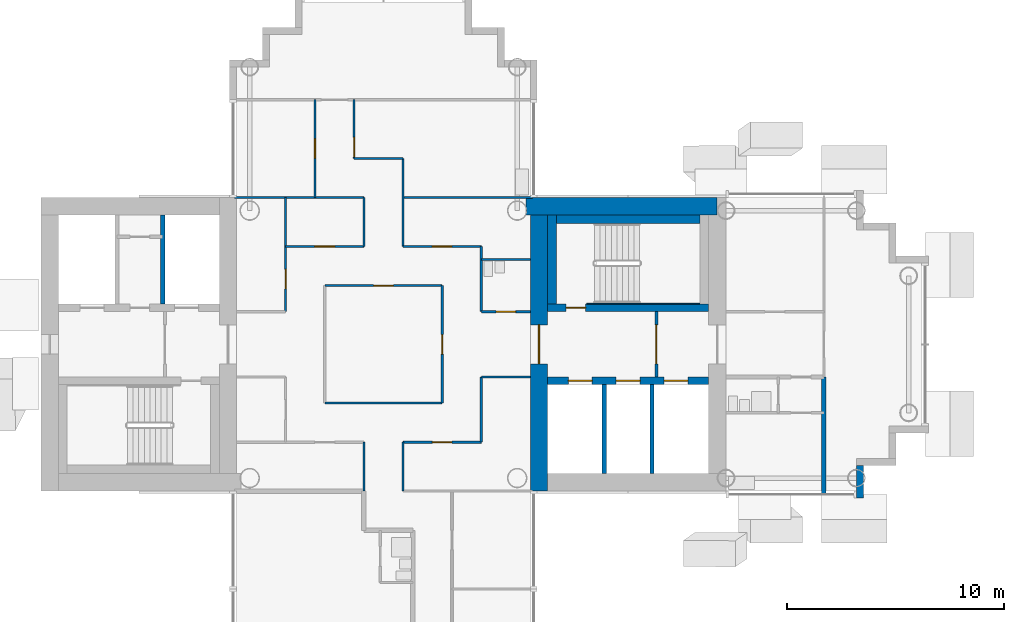
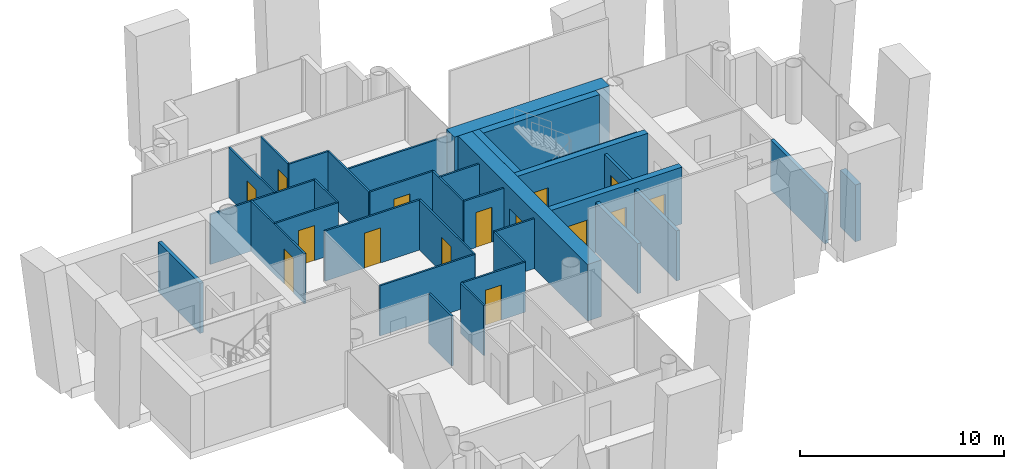
# One storey, part 7 of 18: 34 walls, 15 doors, 15 openings.
"""IFC4 building model written with IfcOpenShell, lengths in metres."""

from ifc_helpers import new_model, si_unit, direction, frame, frame_2d, origin, place, context, subcontext, project, spatial, rectangle, extrude, material, layer, layer_set, type_object, element, fill, save


model = new_model("IFC4")

# Units and contexts
model_context = context("Model", 3, precision=1e-05, world=origin(), true_north=direction((0.0, 1.0)))
body_context = subcontext(model_context, "Body", "Model", "MODEL_VIEW")
ifc_project = project(units=[si_unit("LENGTHUNIT", "METRE"), si_unit("AREAUNIT", "SQUARE_METRE"), si_unit("VOLUMEUNIT", "CUBIC_METRE"), si_unit("PLANEANGLEUNIT", "RADIAN"), si_unit("MASSUNIT", "GRAM", prefix="KILO")], contexts=[model_context])

# Site, building, storey
site_placement = place(None, origin())
site = spatial("IfcSite", under=ifc_project, at=site_placement, CompositionType="ELEMENT")
building_placement = place(site_placement, origin())
building = spatial("IfcBuilding", under=site, at=building_placement, Name="Ipe Terrace Towers", CompositionType="ELEMENT")
storey_placement = place(building_placement, frame((0.0, 0.0, 164.300048828125)))
storey = spatial("IfcBuildingStorey", under=building, at=storey_placement, Name="L45", CompositionType="ELEMENT", Elevation=164.300048828125)

# Wall
ifc_material_1 = material(Name="Concrete C40/50 with buff precast cladding", Category="concrete")
ifc_layer_1 = layer(ifc_material_1, 0.320068359375)
ifc_layer_set_1 = layer_set([ifc_layer_1], Name="BUFF CLADDING WALL 320")
wall_type_1 = type_object("IfcWallType", Name="BUFF CLADDING WALL 320", PredefinedType="STANDARD", material=ifc_layer_set_1)
wall_1_placement = place(storey_placement, frame((-14.090087890625, -7.070068359375, -0.300048828125), z_axis=(0.0, 0.0, 1.0), x_axis=(0.0, 1.0, 0.0)))
element("IfcWall", 1, at=wall_1_placement, inside=storey, type_object=wall_type_1, Name="T1-W-L45-17a wall", PredefinedType="STANDARD", context=body_context, shape_type="SweptSolid", body=[
    extrude(rectangle(XDim=1.5, YDim=0.320068359375, at=frame_2d((0.75, 0.0))), origin(), (0.0, 0.0, 1.0), 3.39990234375),
])

# Wall, opening, door
ifc_material_2 = material(Name="Gypsum board partition", Category="plasterboard")
ifc_layer_2 = layer(ifc_material_2, 0.10009765625)
ifc_layer_set_2 = layer_set([ifc_layer_2], Name="Gypsum board partition 100 mm")
wall_type_2 = type_object("IfcWallType", Name="Gypsum board partition 100 mm", PredefinedType="PARTITIONING", material=ifc_layer_set_2)
wall_2_placement = place(storey_placement, frame((-40.5, 1.5, 0.0), z_axis=(0.0, 0.0, 1.0), x_axis=(0.0, 1.0, 0.0)))
wall_2 = element("IfcWall", 2, at=wall_2_placement, inside=storey, type_object=wall_type_2, Name="Gypsum board partition T1 L45 W02", PredefinedType="PARTITIONING", context=body_context, shape_type="SweptSolid", body=[
    extrude(rectangle(XDim=5.25, YDim=0.10009765625, at=frame_2d((2.625, 0.0))), origin(), (0.0, 0.0, 1.0), 3.0),
])
opening_1_placement = place(wall_2_placement, frame((1.050048828125, 0.0, 0.0)))
opening_1 = element("IfcOpeningElement", 3, at=opening_1_placement, cuts=wall_2, Name="Opening T1-Z3F-06", PredefinedType="OPENING", context=body_context, shape_type="SweptSolid", body=[
    extrude(rectangle(XDim=0.89990234375, YDim=2.10009765625, at=frame_2d((0.449951171875, 1.050048828125))), frame((0.0, 0.06005859375, 0.0), z_axis=(0.0, -1.0, 0.0), x_axis=(1.0, 0.0, 0.0)), (0.0, 0.0, 1.0), 0.1201171875),
])
ifc_material_3 = material(Name="Timber door leaf", Category="wood")
door_type_1 = type_object("IfcDoorType", Name="Lounge door 900 x 2100", OperationType="NOTDEFINED", PredefinedType="DOOR", material=ifc_material_3)
door_1_placement = place(opening_1_placement, origin())
door_1 = element("IfcDoor", 4, at=door_1_placement, inside=storey, type_object=door_type_1, Name="Lounge door T1-Z3F-06", OperationType="SINGLE_SWING_RIGHT", OverallHeight=2.10009765625, OverallWidth=0.89990234375, PredefinedType="DOOR", context=body_context, shape_type="SweptSolid", body=[
    extrude(rectangle(XDim=0.89990234375, YDim=2.10009765625, at=frame_2d((0.449951171875, 1.050048828125))), frame((0.0, 0.02490234375, 0.0), z_axis=(0.0, -1.0, 0.0), x_axis=(1.0, 0.0, 0.0)), (0.0, 0.0, 1.0), 0.050048828125),
])
fill(opening_1, door_1)

wall_3_placement = place(storey_placement, frame((-39.14990234375, 6.75, 0.0), z_axis=(0.0, 0.0, 1.0), x_axis=(0.0, 1.0, 0.0)))
wall_3 = element("IfcWall", 5, at=wall_3_placement, inside=storey, type_object=wall_type_2, Name="Gypsum board partition T1 L45 W03", PredefinedType="PARTITIONING", context=body_context, shape_type="SweptSolid", body=[
    extrude(rectangle(XDim=4.5, YDim=0.10009765625, at=frame_2d((2.25, 0.0))), origin(), (0.0, 0.0, 1.0), 3.0),
])
opening_2_placement = place(wall_3_placement, frame((1.800048828125, 0.0, 0.0)))
opening_2 = element("IfcOpeningElement", 6, at=opening_2_placement, cuts=wall_3, Name="Opening T1-Z3F-10", PredefinedType="OPENING", context=body_context, shape_type="SweptSolid", body=[
    extrude(rectangle(XDim=0.89990234375, YDim=2.10009765625, at=frame_2d((0.449951171875, 1.050048828125))), frame((0.0, 0.06005859375, 0.0), z_axis=(0.0, -1.0, 0.0), x_axis=(1.0, 0.0, 0.0)), (0.0, 0.0, 1.0), 0.1201171875),
])
door_2_placement = place(opening_2_placement, origin())
door_2 = element("IfcDoor", 7, at=door_2_placement, inside=storey, type_object=door_type_1, Name="Lounge door T1-Z3F-10", OperationType="SINGLE_SWING_LEFT", OverallHeight=2.10009765625, OverallWidth=0.89990234375, PredefinedType="DOOR", context=body_context, shape_type="SweptSolid", body=[
    extrude(rectangle(XDim=0.89990234375, YDim=2.10009765625, at=frame_2d((0.449951171875, 1.050048828125))), frame((0.0, 0.02490234375, 0.0), z_axis=(0.0, -1.0, 0.0), x_axis=(1.0, 0.0, 0.0)), (0.0, 0.0, 1.0), 0.050048828125),
])
fill(opening_2, door_2)

wall_4_placement = place(storey_placement, frame((-37.35009765625, 8.550048828125, 0.0), z_axis=(0.0, 0.0, 1.0), x_axis=(0.0, 1.0, 0.0)))
wall_4 = element("IfcWall", 8, at=wall_4_placement, inside=storey, type_object=wall_type_2, Name="Gypsum board partition T1 L45 W05", PredefinedType="PARTITIONING", context=body_context, shape_type="SweptSolid", body=[
    extrude(rectangle(XDim=2.699951171875, YDim=0.10009765625, at=frame_2d((1.35009765625, 0.0))), origin(), (0.0, 0.0, 1.0), 3.0),
])
opening_3_placement = place(wall_4_placement, frame((0.070068359375, 0.0, 0.0)))
opening_3 = element("IfcOpeningElement", 9, at=opening_3_placement, cuts=wall_4, Name="Opening T1-Z3F-11", PredefinedType="OPENING", context=body_context, shape_type="SweptSolid", body=[
    extrude(rectangle(XDim=0.89990234375, YDim=2.10009765625, at=frame_2d((0.449951171875, 1.050048828125))), frame((0.0, 0.06005859375, 0.0), z_axis=(0.0, -1.0, 0.0), x_axis=(1.0, 0.0, 0.0)), (0.0, 0.0, 1.0), 0.1201171875),
])
door_3_placement = place(opening_3_placement, origin())
door_3 = element("IfcDoor", 10, at=door_3_placement, inside=storey, type_object=door_type_1, Name="Lounge door T1-Z3F-11", OperationType="SINGLE_SWING_LEFT", OverallHeight=2.10009765625, OverallWidth=0.89990234375, PredefinedType="DOOR", context=body_context, shape_type="SweptSolid", body=[
    extrude(rectangle(XDim=0.89990234375, YDim=2.10009765625, at=frame_2d((0.449951171875, 1.050048828125))), frame((0.0, 0.02490234375, 0.0), z_axis=(0.0, -1.0, 0.0), x_axis=(1.0, 0.0, 0.0)), (0.0, 0.0, 1.0), 0.050048828125),
])
fill(opening_3, door_3)

# Walls
for number, where, z_axis, x_axis, name in (
    (11, (-36.89990234375, -6.75, 0.0), (0.0, 0.0, 1.0), (0.0, 1.0, 0.0), "Gypsum board partition T1 L45 W06"),
    (12, (-36.89990234375, 4.5, 0.0), (0.0, 0.0, 1.0), (0.0, 1.0, 0.0), "Gypsum board partition T1 L45 W07"),
    (13, (-35.10009765625, -6.75, 0.0), (0.0, 0.0, 1.0), (0.0, 1.0, 0.0), "Gypsum board partition T1 L45 W10"),
):
    element("IfcWall", number, at=place(storey_placement, frame(where, z_axis=z_axis, x_axis=x_axis)), inside=storey, type_object=wall_type_2, Name=name, PredefinedType="PARTITIONING", context=body_context, shape_type="SweptSolid", body=[
        extrude(rectangle(XDim=2.25, YDim=0.10009765625, at=frame_2d((1.125, 0.0))), origin(), (0.0, 0.0, 1.0), 3.0),
    ])
wall_5_placement = place(storey_placement, frame((-35.10009765625, 4.5, 0.0), z_axis=(0.0, 0.0, 1.0), x_axis=(0.0, 1.0, 0.0)))
element("IfcWall", 14, at=wall_5_placement, inside=storey, type_object=wall_type_2, Name="Gypsum board partition T1 L45 W11", PredefinedType="PARTITIONING", context=body_context, shape_type="SweptSolid", body=[
    extrude(rectangle(XDim=4.050048828125, YDim=0.10009765625, at=frame_2d((2.02490234375, 0.0))), origin(), (0.0, 0.0, 1.0), 3.0),
])

# Wall, opening, door
wall_6_placement = place(storey_placement, frame((-33.300048828125, -2.699951171875, 0.0), z_axis=(0.0, 0.0, 1.0), x_axis=(0.0, 1.0, 0.0)))
wall_6 = element("IfcWall", 15, at=wall_6_placement, inside=storey, type_object=wall_type_2, Name="Gypsum board partition T1 L45 W13", PredefinedType="PARTITIONING", context=body_context, shape_type="SweptSolid", body=[
    extrude(rectangle(XDim=5.39990234375, YDim=0.10009765625, at=frame_2d((2.699951171875, 0.0))), origin(), (0.0, 0.0, 1.0), 3.0),
])
opening_4_placement = place(wall_6_placement, frame((2.25, 0.0, 0.0)))
opening_4 = element("IfcOpeningElement", 16, at=opening_4_placement, cuts=wall_6, Name="Opening T1-Z3F-02", PredefinedType="OPENING", context=body_context, shape_type="SweptSolid", body=[
    extrude(rectangle(XDim=0.89990234375, YDim=2.10009765625, at=frame_2d((0.449951171875, 1.050048828125))), frame((0.0, 0.06005859375, 0.0), z_axis=(0.0, -1.0, 0.0), x_axis=(1.0, 0.0, 0.0)), (0.0, 0.0, 1.0), 0.1201171875),
])
door_4_placement = place(opening_4_placement, origin())
door_4 = element("IfcDoor", 17, at=door_4_placement, inside=storey, type_object=door_type_1, Name="Lounge door T1-Z3F-02", OperationType="SINGLE_SWING_LEFT", OverallHeight=2.10009765625, OverallWidth=0.89990234375, PredefinedType="DOOR", context=body_context, shape_type="SweptSolid", body=[
    extrude(rectangle(XDim=0.89990234375, YDim=2.10009765625, at=frame_2d((0.449951171875, 1.050048828125))), frame((0.0, 0.02490234375, 0.0), z_axis=(0.0, -1.0, 0.0), x_axis=(1.0, 0.0, 0.0)), (0.0, 0.0, 1.0), 0.050048828125),
])
fill(opening_4, door_4)

# Walls
for number, where, z_axis, x_axis, name in (
    (18, (-31.5, -4.5, 0.0), (0.0, 0.0, 1.0), (0.0, 1.0, 0.0), "Gypsum board partition T1 L45 W15"),
    (19, (-31.5, 1.5, 0.0), (0.0, 0.0, 1.0), (0.0, 1.0, 0.0), "Gypsum board partition T1 L45 W16"),
):
    element("IfcWall", number, at=place(storey_placement, frame(where, z_axis=z_axis, x_axis=x_axis)), inside=storey, type_object=wall_type_2, Name=name, PredefinedType="PARTITIONING", context=body_context, shape_type="SweptSolid", body=[
        extrude(rectangle(XDim=3.0, YDim=0.10009765625, at=frame_2d((1.5, 0.0))), origin(), (0.0, 0.0, 1.0), 3.0),
    ])

# Wall, opening, door
wall_7_placement = place(storey_placement, frame((-35.10009765625, -4.5, 0.0), z_axis=(0.0, 0.0, 1.0), x_axis=(1.0, 0.0, 0.0)))
wall_7 = element("IfcWall", 20, at=wall_7_placement, inside=storey, type_object=wall_type_2, Name="Gypsum board partition T1 L45 W28", PredefinedType="PARTITIONING", context=body_context, shape_type="SweptSolid", body=[
    extrude(rectangle(XDim=3.60009765625, YDim=0.10009765625, at=frame_2d((1.800048828125, 0.0))), origin(), (0.0, 0.0, 1.0), 3.0),
])
opening_5_placement = place(wall_7_placement, frame((1.35009765625, 0.0, 0.0)))
opening_5 = element("IfcOpeningElement", 21, at=opening_5_placement, cuts=wall_7, Name="Opening T1-Z3F-09", PredefinedType="OPENING", context=body_context, shape_type="SweptSolid", body=[
    extrude(rectangle(XDim=0.89990234375, YDim=2.10009765625, at=frame_2d((0.449951171875, 1.050048828125))), frame((0.0, 0.06005859375, 0.0), z_axis=(0.0, -1.0, 0.0), x_axis=(1.0, 0.0, 0.0)), (0.0, 0.0, 1.0), 0.1201171875),
])
door_5_placement = place(opening_5_placement, origin())
door_5 = element("IfcDoor", 22, at=door_5_placement, inside=storey, type_object=door_type_1, Name="Lounge door T1-Z3F-09", OperationType="SINGLE_SWING_LEFT", OverallHeight=2.10009765625, OverallWidth=0.89990234375, PredefinedType="DOOR", context=body_context, shape_type="SweptSolid", body=[
    extrude(rectangle(XDim=0.89990234375, YDim=2.10009765625, at=frame_2d((0.449951171875, 1.050048828125))), frame((0.0, 0.02490234375, 0.0), z_axis=(0.0, -1.0, 0.0), x_axis=(1.0, 0.0, 0.0)), (0.0, 0.0, 1.0), 0.050048828125),
])
fill(opening_5, door_5)

# Walls
wall_8_placement = place(storey_placement, frame((-38.699951171875, -2.699951171875, 0.0), z_axis=(0.0, 0.0, 1.0), x_axis=(1.0, 0.0, 0.0)))
element("IfcWall", 23, at=wall_8_placement, inside=storey, type_object=wall_type_2, Name="Gypsum board partition T1 L45 W30", PredefinedType="PARTITIONING", context=body_context, shape_type="SweptSolid", body=[
    extrude(rectangle(XDim=5.39990234375, YDim=0.10009765625, at=frame_2d((2.699951171875, 0.0))), origin(), (0.0, 0.0, 1.0), 3.0),
])
wall_9_placement = place(storey_placement, frame((-31.5, -1.5, 0.0), z_axis=(0.0, 0.0, 1.0), x_axis=(1.0, 0.0, 0.0)))
element("IfcWall", 24, at=wall_9_placement, inside=storey, type_object=wall_type_2, Name="Gypsum board partition T1 L45 W32", PredefinedType="PARTITIONING", context=body_context, shape_type="SweptSolid", body=[
    extrude(rectangle(XDim=2.25, YDim=0.10009765625, at=frame_2d((1.125, 0.0))), origin(), (0.0, 0.0, 1.0), 3.0),
])

# Wall, opening, door
wall_10_placement = place(storey_placement, frame((-31.5, 1.5, 0.0), z_axis=(0.0, 0.0, 1.0), x_axis=(1.0, 0.0, 0.0)))
wall_10 = element("IfcWall", 25, at=wall_10_placement, inside=storey, type_object=wall_type_2, Name="Gypsum board partition T1 L45 W35", PredefinedType="PARTITIONING", context=body_context, shape_type="SweptSolid", body=[
    extrude(rectangle(XDim=2.25, YDim=0.10009765625, at=frame_2d((1.125, 0.0))), origin(), (0.0, 0.0, 1.0), 3.0),
])
opening_6_placement = place(wall_10_placement, frame((0.675048828125, 0.0, 0.0)))
opening_6 = element("IfcOpeningElement", 26, at=opening_6_placement, cuts=wall_10, Name="Opening T1-Z3F-03", PredefinedType="OPENING", context=body_context, shape_type="SweptSolid", body=[
    extrude(rectangle(XDim=0.89990234375, YDim=2.10009765625, at=frame_2d((0.449951171875, 1.050048828125))), frame((0.0, 0.06005859375, 0.0), z_axis=(0.0, -1.0, 0.0), x_axis=(1.0, 0.0, 0.0)), (0.0, 0.0, 1.0), 0.1201171875),
])
ifc_material_4 = material(Name="Timber door leaf", Category="wood")
door_type_2 = type_object("IfcDoorType", Name="Bathroom door 900 x 2100", OperationType="NOTDEFINED", PredefinedType="DOOR", material=ifc_material_4)
door_6_placement = place(opening_6_placement, origin())
door_6 = element("IfcDoor", 27, at=door_6_placement, inside=storey, type_object=door_type_2, Name="Bathroom door T1-Z3F-03", OperationType="SINGLE_SWING_LEFT", OverallHeight=2.10009765625, OverallWidth=0.89990234375, PredefinedType="DOOR", context=body_context, shape_type="SweptSolid", body=[
    extrude(rectangle(XDim=0.89990234375, YDim=2.10009765625, at=frame_2d((0.449951171875, 1.050048828125))), frame((0.0, 0.02490234375, 0.0), z_axis=(0.0, -1.0, 0.0), x_axis=(1.0, 0.0, 0.0)), (0.0, 0.0, 1.0), 0.050048828125),
])
fill(opening_6, door_6)

wall_11_placement = place(storey_placement, frame((-38.699951171875, 2.699951171875, 0.0), z_axis=(0.0, 0.0, 1.0), x_axis=(1.0, 0.0, 0.0)))
wall_11 = element("IfcWall", 28, at=wall_11_placement, inside=storey, type_object=wall_type_2, Name="Gypsum board partition T1 L45 W37", PredefinedType="PARTITIONING", context=body_context, shape_type="SweptSolid", body=[
    extrude(rectangle(XDim=5.39990234375, YDim=0.10009765625, at=frame_2d((2.699951171875, 0.0))), origin(), (0.0, 0.0, 1.0), 3.0),
])
opening_7_placement = place(wall_11_placement, frame((2.25, 0.0, 0.0)))
opening_7 = element("IfcOpeningElement", 29, at=opening_7_placement, cuts=wall_11, Name="Opening T1-Z3F-01", PredefinedType="OPENING", context=body_context, shape_type="SweptSolid", body=[
    extrude(rectangle(XDim=0.89990234375, YDim=2.10009765625, at=frame_2d((0.449951171875, 1.050048828125))), frame((0.0, 0.06005859375, 0.0), z_axis=(0.0, -1.0, 0.0), x_axis=(1.0, 0.0, 0.0)), (0.0, 0.0, 1.0), 0.1201171875),
])
door_7_placement = place(opening_7_placement, origin())
door_7 = element("IfcDoor", 30, at=door_7_placement, inside=storey, type_object=door_type_1, Name="Lounge door T1-Z3F-01", OperationType="SINGLE_SWING_RIGHT", OverallHeight=2.10009765625, OverallWidth=0.89990234375, PredefinedType="DOOR", context=body_context, shape_type="SweptSolid", body=[
    extrude(rectangle(XDim=0.89990234375, YDim=2.10009765625, at=frame_2d((0.449951171875, 1.050048828125))), frame((0.0, 0.02490234375, 0.0), z_axis=(0.0, -1.0, 0.0), x_axis=(1.0, 0.0, 0.0)), (0.0, 0.0, 1.0), 0.050048828125),
])
fill(opening_7, door_7)

# Wall
wall_12_placement = place(storey_placement, frame((-31.5, 3.89990234375, 0.0), z_axis=(0.0, 0.0, 1.0), x_axis=(1.0, 0.0, 0.0)))
element("IfcWall", 31, at=wall_12_placement, inside=storey, type_object=wall_type_2, Name="Gypsum board partition T1 L45 W38", PredefinedType="PARTITIONING", context=body_context, shape_type="SweptSolid", body=[
    extrude(rectangle(XDim=2.25, YDim=0.10009765625, at=frame_2d((1.125, 0.0))), origin(), (0.0, 0.0, 1.0), 3.0),
])

# Wall, opening, door
wall_13_placement = place(storey_placement, frame((-40.5, 4.5, 0.0), z_axis=(0.0, 0.0, 1.0), x_axis=(1.0, 0.0, 0.0)))
wall_13 = element("IfcWall", 32, at=wall_13_placement, inside=storey, type_object=wall_type_2, Name="Gypsum board partition T1 L45 W39", PredefinedType="PARTITIONING", context=body_context, shape_type="SweptSolid", body=[
    extrude(rectangle(XDim=3.60009765625, YDim=0.10009765625, at=frame_2d((1.800048828125, 0.0))), origin(), (0.0, 0.0, 1.0), 3.0),
])
opening_8_placement = place(wall_13_placement, frame((1.35009765625, 0.0, 0.0)))
opening_8 = element("IfcOpeningElement", 33, at=opening_8_placement, cuts=wall_13, Name="Opening T1-Z3F-05", PredefinedType="OPENING", context=body_context, shape_type="SweptSolid", body=[
    extrude(rectangle(XDim=0.89990234375, YDim=2.10009765625, at=frame_2d((0.449951171875, 1.050048828125))), frame((0.0, 0.06005859375, 0.0), z_axis=(0.0, -1.0, 0.0), x_axis=(1.0, 0.0, 0.0)), (0.0, 0.0, 1.0), 0.1201171875),
])
door_8_placement = place(opening_8_placement, origin())
door_8 = element("IfcDoor", 34, at=door_8_placement, inside=storey, type_object=door_type_1, Name="Lounge door T1-Z3F-05", OperationType="SINGLE_SWING_RIGHT", OverallHeight=2.10009765625, OverallWidth=0.89990234375, PredefinedType="DOOR", context=body_context, shape_type="SweptSolid", body=[
    extrude(rectangle(XDim=0.89990234375, YDim=2.10009765625, at=frame_2d((0.449951171875, 1.050048828125))), frame((0.0, 0.02490234375, 0.0), z_axis=(0.0, -1.0, 0.0), x_axis=(1.0, 0.0, 0.0)), (0.0, 0.0, 1.0), 0.050048828125),
])
fill(opening_8, door_8)

wall_14_placement = place(storey_placement, frame((-35.10009765625, 4.5, 0.0), z_axis=(0.0, 0.0, 1.0), x_axis=(1.0, 0.0, 0.0)))
wall_14 = element("IfcWall", 35, at=wall_14_placement, inside=storey, type_object=wall_type_2, Name="Gypsum board partition T1 L45 W40", PredefinedType="PARTITIONING", context=body_context, shape_type="SweptSolid", body=[
    extrude(rectangle(XDim=3.60009765625, YDim=0.10009765625, at=frame_2d((1.800048828125, 0.0))), origin(), (0.0, 0.0, 1.0), 3.0),
])
opening_9_placement = place(wall_14_placement, frame((1.35009765625, 0.0, 0.0)))
opening_9 = element("IfcOpeningElement", 36, at=opening_9_placement, cuts=wall_14, Name="Opening T1-Z3F-04", PredefinedType="OPENING", context=body_context, shape_type="SweptSolid", body=[
    extrude(rectangle(XDim=0.89990234375, YDim=2.10009765625, at=frame_2d((0.449951171875, 1.050048828125))), frame((0.0, 0.06005859375, 0.0), z_axis=(0.0, -1.0, 0.0), x_axis=(1.0, 0.0, 0.0)), (0.0, 0.0, 1.0), 0.1201171875),
])
door_9_placement = place(opening_9_placement, origin())
door_9 = element("IfcDoor", 37, at=door_9_placement, inside=storey, type_object=door_type_1, Name="Lounge door T1-Z3F-04", OperationType="SINGLE_SWING_LEFT", OverallHeight=2.10009765625, OverallWidth=0.89990234375, PredefinedType="DOOR", context=body_context, shape_type="SweptSolid", body=[
    extrude(rectangle(XDim=0.89990234375, YDim=2.10009765625, at=frame_2d((0.449951171875, 1.050048828125))), frame((0.0, 0.02490234375, 0.0), z_axis=(0.0, -1.0, 0.0), x_axis=(1.0, 0.0, 0.0)), (0.0, 0.0, 1.0), 0.050048828125),
])
fill(opening_9, door_9)

# Walls
for number, where, z_axis, x_axis, name in (
    (38, (-42.85009765625, 6.75, 0.0), (0.0, 0.0, 1.0), (1.0, 0.0, 0.0), "Gypsum board partition T1 L45 W41"),
    (39, (-35.10009765625, 6.75, 0.0), (0.0, 0.0, 1.0), (1.0, 0.0, 0.0), "Gypsum board partition T1 L45 W42"),
):
    element("IfcWall", number, at=place(storey_placement, frame(where, z_axis=z_axis, x_axis=x_axis)), inside=storey, type_object=wall_type_2, Name=name, PredefinedType="PARTITIONING", context=body_context, shape_type="SweptSolid", body=[
        extrude(rectangle(XDim=5.9501953125, YDim=0.10009765625, at=frame_2d((2.97509765625, 0.0))), origin(), (0.0, 0.0, 1.0), 3.0),
    ])
wall_15_placement = place(storey_placement, frame((-37.35009765625, 8.550048828125, 0.0), z_axis=(0.0, 0.0, 1.0), x_axis=(1.0, 0.0, 0.0)))
element("IfcWall", 40, at=wall_15_placement, inside=storey, type_object=wall_type_2, Name="Gypsum board partition T1 L45 W43", PredefinedType="PARTITIONING", context=body_context, shape_type="SweptSolid", body=[
    extrude(rectangle(XDim=2.25, YDim=0.10009765625, at=frame_2d((1.125, 0.0))), origin(), (0.0, 0.0, 1.0), 3.0),
])

# Wall, opening, door
ifc_material_5 = material(Name="Gypsum board partition", Category="plasterboard")
ifc_layer_3 = layer(ifc_material_5, 0.14990234375)
ifc_layer_set_3 = layer_set([ifc_layer_3], Name="Gypsum board partition 150 mm")
wall_type_3 = type_object("IfcWallType", Name="Gypsum board partition 150 mm", PredefinedType="PARTITIONING", material=ifc_layer_set_3)
wall_16_placement = place(storey_placement, frame((-23.449951171875, -1.5, 0.0), z_axis=(0.0, 0.0, 1.0), x_axis=(0.0, 1.0, 0.0)))
wall_16 = element("IfcWall", 41, at=wall_16_placement, inside=storey, type_object=wall_type_3, Name="Gypsum board partition T1 L45 t1c1-lobby-wall", PredefinedType="PARTITIONING", context=body_context, shape_type="SweptSolid", body=[
    extrude(rectangle(XDim=3.0, YDim=0.14990234375, at=frame_2d((1.5, 0.0))), origin(), (0.0, 0.0, 1.0), 3.0),
])
opening_10_placement = place(wall_16_placement, frame((0.60009765625, 0.0, 0.0)))
opening_10 = element("IfcOpeningElement", 42, at=opening_10_placement, cuts=wall_16, Name="Opening T1C1-VD", PredefinedType="OPENING", context=body_context, shape_type="SweptSolid", body=[
    extrude(rectangle(XDim=1.800048828125, YDim=2.10009765625, at=frame_2d((0.89990234375, 1.050048828125))), frame((0.0, 0.0849609375, 0.0), z_axis=(0.0, -1.0, 0.0), x_axis=(1.0, 0.0, 0.0)), (0.0, 0.0, 1.0), 0.169921875),
])
ifc_material_6 = material(Name="Fire-rated timber door leaf", Category="wood")
door_type_3 = type_object("IfcDoorType", Name="Lobby door 1800 x 2100 FD60", OperationType="NOTDEFINED", PredefinedType="DOOR", material=ifc_material_6)
door_10_placement = place(opening_10_placement, origin())
door_10 = element("IfcDoor", 43, at=door_10_placement, inside=storey, type_object=door_type_3, Name="Lobby door T1C1-VD", OperationType="SINGLE_SWING_LEFT", OverallHeight=2.10009765625, OverallWidth=1.800048828125, PredefinedType="DOOR", context=body_context, shape_type="SweptSolid", body=[
    extrude(rectangle(XDim=1.800048828125, YDim=2.10009765625, at=frame_2d((0.89990234375, 1.050048828125))), frame((0.0, 0.02490234375, 0.0), z_axis=(0.0, -1.0, 0.0), x_axis=(1.0, 0.0, 0.0)), (0.0, 0.0, 1.0), 0.050048828125),
])
fill(opening_10, door_10)

# Walls
ifc_material_7 = material(Name="Gypsum board party wall", Category="plasterboard")
ifc_layer_4 = layer(ifc_material_7, 0.199951171875)
ifc_layer_set_4 = layer_set([ifc_layer_4], Name="Gypsum board party wall 200 mm")
wall_type_4 = type_object("IfcWallType", Name="Gypsum board party wall 200 mm", PredefinedType="SOLIDWALL", material=ifc_layer_set_4)
for number, where, z_axis, x_axis, name in (
    (44, (-25.85009765625, -5.949951171875, 0.0), (0.0, 0.0, 1.0), (0.0, 1.0, 0.0), "Gypsum board party wall T1 L45 t1c1-shaft-div1"),
    (45, (-23.64990234375, -5.949951171875, 0.0), (0.0, 0.0, 1.0), (0.0, 1.0, 0.0), "Gypsum board party wall T1 L45 t1c1-shaft-div2"),
    (46, (-46.14990234375, 5.949951171875, 0.0), (0.0, 0.0, 1.0), (0.0, -1.0, 0.0), "Gypsum board party wall T1 L45 t1c2-shaft-div1"),
):
    element("IfcWall", number, at=place(storey_placement, frame(where, z_axis=z_axis, x_axis=x_axis)), inside=storey, type_object=wall_type_4, Name=name, PredefinedType="SOLIDWALL", context=body_context, shape_type="SweptSolid", body=[
        extrude(rectangle(XDim=4.099853515625, YDim=0.199951171875, at=frame_2d((2.0498046875, 0.0))), origin(), (0.0, 0.0, 1.0), 3.0),
    ])
wall_17_placement = place(storey_placement, frame((-15.75, -6.85009765625, 0.0), z_axis=(0.0, 0.0, 1.0), x_axis=(0.0, 1.0, 0.0)))
element("IfcWall", 47, at=wall_17_placement, inside=storey, type_object=wall_type_4, Name="Gypsum board party wall T1 L45 W19", PredefinedType="SOLIDWALL", context=body_context, shape_type="SweptSolid", body=[
    extrude(rectangle(XDim=5.35009765625, YDim=0.199951171875, at=frame_2d((2.675048828125, 0.0))), origin(), (0.0, 0.0, 1.0), 3.0),
])

# Wall, openings, doors
ifc_material_8 = material(Name="Concrete C50/60", Category="concrete")
ifc_layer_5 = layer(ifc_material_8, 0.35009765625)
ifc_layer_set_5 = layer_set([ifc_layer_5], Name="RW350 CORE SPINE WALL 350 C50-60")
wall_type_5 = type_object("IfcWallType", Name="RW350 CORE SPINE WALL 350 C50-60", PredefinedType="SHEAR", material=ifc_layer_set_5)
wall_18_placement = place(storey_placement, frame((-28.449951171875, -1.675048828125, 0.0), z_axis=(0.0, 0.0, 1.0), x_axis=(1.0, 0.0, 0.0)))
wall_18 = element("IfcWall", 48, at=wall_18_placement, inside=storey, type_object=wall_type_5, Name="Core spine wall T1-C1-Z3-SW1", PredefinedType="SHEAR", context=body_context, shape_type="SweptSolid", body=[
    extrude(rectangle(XDim=7.39990234375, YDim=0.35009765625, at=frame_2d((3.699951171875, 0.0))), origin(), (0.0, 0.0, 1.0), 3.39990234375),
])
opening_11_placement = place(wall_18_placement, frame((0.949951171875, 0.0, 0.0)))
opening_11 = element("IfcOpeningElement", 49, at=opening_11_placement, cuts=wall_18, Name="Opening T1C1-LD1", PredefinedType="OPENING", context=body_context, shape_type="SweptSolid", body=[
    extrude(rectangle(XDim=1.10009765625, YDim=2.10009765625, at=frame_2d((0.550048828125, 1.050048828125))), frame((0.0, 0.18505859375, 0.0), z_axis=(0.0, -1.0, 0.0), x_axis=(1.0, 0.0, 0.0)), (0.0, 0.0, 1.0), 0.3701171875),
])
opening_12_placement = place(wall_18_placement, frame((3.14990234375, 0.0, 0.0)))
opening_12 = element("IfcOpeningElement", 50, at=opening_12_placement, cuts=wall_18, Name="Opening T1C1-LD2", PredefinedType="OPENING", context=body_context, shape_type="SweptSolid", body=[
    extrude(rectangle(XDim=1.10009765625, YDim=2.10009765625, at=frame_2d((0.550048828125, 1.050048828125))), frame((0.0, 0.18505859375, 0.0), z_axis=(0.0, -1.0, 0.0), x_axis=(1.0, 0.0, 0.0)), (0.0, 0.0, 1.0), 0.3701171875),
])
opening_13_placement = place(wall_18_placement, frame((5.35009765625, 0.0, 0.0)))
opening_13 = element("IfcOpeningElement", 51, at=opening_13_placement, cuts=wall_18, Name="Opening T1C1-LD3", PredefinedType="OPENING", context=body_context, shape_type="SweptSolid", body=[
    extrude(rectangle(XDim=1.10009765625, YDim=2.10009765625, at=frame_2d((0.550048828125, 1.050048828125))), frame((0.0, 0.18505859375, 0.0), z_axis=(0.0, -1.0, 0.0), x_axis=(1.0, 0.0, 0.0)), (0.0, 0.0, 1.0), 0.3701171875),
])
ifc_material_9 = material(Name="Fire-rated timber door leaf", Category="wood")
door_type_4 = type_object("IfcDoorType", Name="Sliding door 1100 x 2100 FD60", OperationType="SLIDING_TO_LEFT", PredefinedType="DOOR", material=ifc_material_9)
door_11_placement = place(opening_11_placement, origin())
door_11 = element("IfcDoor", 52, at=door_11_placement, inside=storey, type_object=door_type_4, Name="Sliding door T1C1-LD1", OperationType="SLIDING_TO_LEFT", OverallHeight=2.10009765625, OverallWidth=1.10009765625, PredefinedType="DOOR", context=body_context, shape_type="SweptSolid", body=[
    extrude(rectangle(XDim=1.10009765625, YDim=2.10009765625, at=frame_2d((0.550048828125, 1.050048828125))), frame((0.0, 0.02490234375, 0.0), z_axis=(0.0, -1.0, 0.0), x_axis=(1.0, 0.0, 0.0)), (0.0, 0.0, 1.0), 0.050048828125),
])
fill(opening_11, door_11)
door_12_placement = place(opening_12_placement, origin())
door_12 = element("IfcDoor", 53, at=door_12_placement, inside=storey, type_object=door_type_4, Name="Sliding door T1C1-LD2", OperationType="SLIDING_TO_LEFT", OverallHeight=2.10009765625, OverallWidth=1.10009765625, PredefinedType="DOOR", context=body_context, shape_type="SweptSolid", body=[
    extrude(rectangle(XDim=1.10009765625, YDim=2.10009765625, at=frame_2d((0.550048828125, 1.050048828125))), frame((0.0, 0.02490234375, 0.0), z_axis=(0.0, -1.0, 0.0), x_axis=(1.0, 0.0, 0.0)), (0.0, 0.0, 1.0), 0.050048828125),
])
fill(opening_12, door_12)
door_13_placement = place(opening_13_placement, origin())
door_13 = element("IfcDoor", 54, at=door_13_placement, inside=storey, type_object=door_type_4, Name="Sliding door T1C1-LD3", OperationType="SLIDING_TO_LEFT", OverallHeight=2.10009765625, OverallWidth=1.10009765625, PredefinedType="DOOR", context=body_context, shape_type="SweptSolid", body=[
    extrude(rectangle(XDim=1.10009765625, YDim=2.10009765625, at=frame_2d((0.550048828125, 1.050048828125))), frame((0.0, 0.02490234375, 0.0), z_axis=(0.0, -1.0, 0.0), x_axis=(1.0, 0.0, 0.0)), (0.0, 0.0, 1.0), 0.050048828125),
])
fill(opening_13, door_13)

# Wall, opening, door
wall_19_placement = place(storey_placement, frame((-28.449951171875, 1.675048828125, 0.0), z_axis=(0.0, 0.0, 1.0), x_axis=(1.0, 0.0, 0.0)))
wall_19 = element("IfcWall", 55, at=wall_19_placement, inside=storey, type_object=wall_type_5, Name="Core spine wall T1-C1-Z3-SW2", PredefinedType="SHEAR", context=body_context, shape_type="SweptSolid", body=[
    extrude(rectangle(XDim=7.39990234375, YDim=0.35009765625, at=frame_2d((3.699951171875, 0.0))), origin(), (0.0, 0.0, 1.0), 3.39990234375),
])
opening_14_placement = place(wall_19_placement, frame((0.85009765625, 0.0, 0.0)))
opening_14 = element("IfcOpeningElement", 56, at=opening_14_placement, cuts=wall_19, Name="Opening T1C1-SD", PredefinedType="OPENING", context=body_context, shape_type="SweptSolid", body=[
    extrude(rectangle(XDim=0.89990234375, YDim=2.10009765625, at=frame_2d((0.449951171875, 1.050048828125))), frame((0.0, 0.18505859375, 0.0), z_axis=(0.0, -1.0, 0.0), x_axis=(1.0, 0.0, 0.0)), (0.0, 0.0, 1.0), 0.3701171875),
])
ifc_material_10 = material(Name="Fire-rated timber door leaf", Category="wood")
door_type_5 = type_object("IfcDoorType", Name="Stair door 900 x 2100 FD60", OperationType="NOTDEFINED", PredefinedType="DOOR", material=ifc_material_10)
door_14_placement = place(opening_14_placement, origin())
door_14 = element("IfcDoor", 57, at=door_14_placement, inside=storey, type_object=door_type_5, Name="Stair door T1C1-SD", OperationType="SINGLE_SWING_LEFT", OverallHeight=2.10009765625, OverallWidth=0.89990234375, PredefinedType="DOOR", context=body_context, shape_type="SweptSolid", body=[
    extrude(rectangle(XDim=0.89990234375, YDim=2.10009765625, at=frame_2d((0.449951171875, 1.050048828125))), frame((0.0, 0.02490234375, 0.0), z_axis=(0.0, -1.0, 0.0), x_axis=(1.0, 0.0, 0.0)), (0.0, 0.0, 1.0), 0.050048828125),
])
fill(opening_14, door_14)

# Walls
ifc_material_11 = material(Name="Concrete C50/60", Category="concrete")
ifc_layer_6 = layer(ifc_material_11, 0.39990234375)
ifc_layer_set_6 = layer_set([ifc_layer_6], Name="RW400 CORE INFILL WALL 400 C50-60")
wall_type_6 = type_object("IfcWallType", Name="RW400 CORE INFILL WALL 400 C50-60", PredefinedType="SHEAR", material=ifc_layer_set_6)
wall_20_placement = place(storey_placement, frame((-28.050048828125, 5.75, 0.0), z_axis=(0.0, 0.0, 1.0), x_axis=(1.0, 0.0, 0.0)))
element("IfcWall", 58, at=wall_20_placement, inside=storey, type_object=wall_type_6, Name="Core infill wall T1-C1-back", PredefinedType="SHEAR", context=body_context, shape_type="SweptSolid", body=[
    extrude(rectangle(XDim=6.60009765625, YDim=0.39990234375, at=frame_2d((3.300048828125, 0.0))), origin(), (0.0, 0.0, 1.0), 3.39990234375),
])
wall_21_placement = place(storey_placement, frame((-28.25, 1.85009765625, 0.0), z_axis=(0.0, 0.0, 1.0), x_axis=(0.0, 1.0, 0.0)))
element("IfcWall", 59, at=wall_21_placement, inside=storey, type_object=wall_type_6, Name="Core infill wall T1-C1-near", PredefinedType="SHEAR", context=body_context, shape_type="SweptSolid", body=[
    extrude(rectangle(XDim=4.099853515625, YDim=0.39990234375, at=frame_2d((2.0498046875, 0.0))), origin(), (0.0, 0.0, 1.0), 3.39990234375),
])
ifc_material_12 = material(Name="Concrete C50/60", Category="concrete")
ifc_layer_7 = layer(ifc_material_12, 0.050048828125)
ifc_layer_set_7 = layer_set([ifc_layer_7], Name="RW50 CORE INFILL WALL 50 C50-60")
wall_type_7 = type_object("IfcWallType", Name="RW50 CORE INFILL WALL 50 C50-60", PredefinedType="SHEAR", material=ifc_layer_set_7)
wall_22_placement = place(storey_placement, frame((-26.64990234375, 1.875, 0.0), z_axis=(0.0, 0.0, 1.0), x_axis=(1.0, 0.0, 0.0)))
element("IfcWall", 60, at=wall_22_placement, inside=storey, type_object=wall_type_7, Name="Core infill wall T1-C1-spine-b", PredefinedType="SHEAR", context=body_context, shape_type="SweptSolid", body=[
    extrude(rectangle(XDim=5.199951171875, YDim=0.050048828125, at=frame_2d((2.60009765625, 0.0))), origin(), (0.0, 0.0, 1.0), 3.39990234375),
])
ifc_material_13 = material(Name="Concrete C50/60", Category="concrete")
ifc_layer_8 = layer(ifc_material_13, 0.800048828125)
ifc_layer_set_8 = layer_set([ifc_layer_8], Name="RW800 CORE WALL 800 C50-60")
wall_type_8 = type_object("IfcWallType", Name="RW800 CORE WALL 800 C50-60", PredefinedType="SHEAR", material=ifc_layer_set_8)
wall_23_placement = place(storey_placement, frame((-20.652099609375, 6.35009765625, 0.0), z_axis=(0.0, 0.0, 1.0), x_axis=(-1.0, 0.0, 0.0)))
element("IfcWall", 61, at=wall_23_placement, inside=storey, type_object=wall_type_8, Name="Core wall T1-C1-Z3-W03", PredefinedType="SHEAR", context=body_context, shape_type="SweptSolid", body=[
    extrude(rectangle(XDim=8.7958984375, YDim=0.800048828125, at=frame_2d((4.39794921875, 0.0))), origin(), (0.0, 0.0, 1.0), 3.39990234375),
])

# Wall, opening, door
wall_24_placement = place(storey_placement, frame((-28.85009765625, 5.949951171875, 0.0), z_axis=(0.0, 0.0, 1.0), x_axis=(0.0, -1.0, 0.0)))
wall_24 = element("IfcWall", 62, at=wall_24_placement, inside=storey, type_object=wall_type_8, Name="Core wall T1-C1-Z3-W04", PredefinedType="SHEAR", context=body_context, shape_type="SweptSolid", body=[
    extrude(rectangle(XDim=12.699951171875, YDim=0.800048828125, at=frame_2d((6.35009765625, 0.0))), origin(), (0.0, 0.0, 1.0), 3.39990234375),
])
opening_15_placement = place(wall_24_placement, frame((5.050048828125, 0.0, 0.0)))
opening_15 = element("IfcOpeningElement", 63, at=opening_15_placement, cuts=wall_24, Name="Opening T1C1-ND", PredefinedType="OPENING", context=body_context, shape_type="SweptSolid", body=[
    extrude(rectangle(XDim=1.800048828125, YDim=2.10009765625, at=frame_2d((0.89990234375, 1.050048828125))), frame((0.0, 0.41015625, 0.0), z_axis=(0.0, -1.0, 0.0), x_axis=(1.0, 0.0, 0.0)), (0.0, 0.0, 1.0), 0.820068359375),
])
ifc_material_14 = material(Name="Fire-rated timber door leaf", Category="wood")
door_type_6 = type_object("IfcDoorType", Name="Fire door 1800 x 2100 FD30S", OperationType="NOTDEFINED", PredefinedType="DOOR", material=ifc_material_14)
door_15_placement = place(opening_15_placement, origin())
door_15 = element("IfcDoor", 64, at=door_15_placement, inside=storey, type_object=door_type_6, Name="Fire door T1C1-ND", OperationType="SINGLE_SWING_LEFT", OverallHeight=2.10009765625, OverallWidth=1.800048828125, PredefinedType="DOOR", context=body_context, shape_type="SweptSolid", body=[
    extrude(rectangle(XDim=1.800048828125, YDim=2.10009765625, at=frame_2d((0.89990234375, 1.050048828125))), frame((0.0, 0.02490234375, 0.0), z_axis=(0.0, -1.0, 0.0), x_axis=(1.0, 0.0, 0.0)), (0.0, 0.0, 1.0), 0.050048828125),
])
fill(opening_15, door_15)

save(model, "model.ifc")
